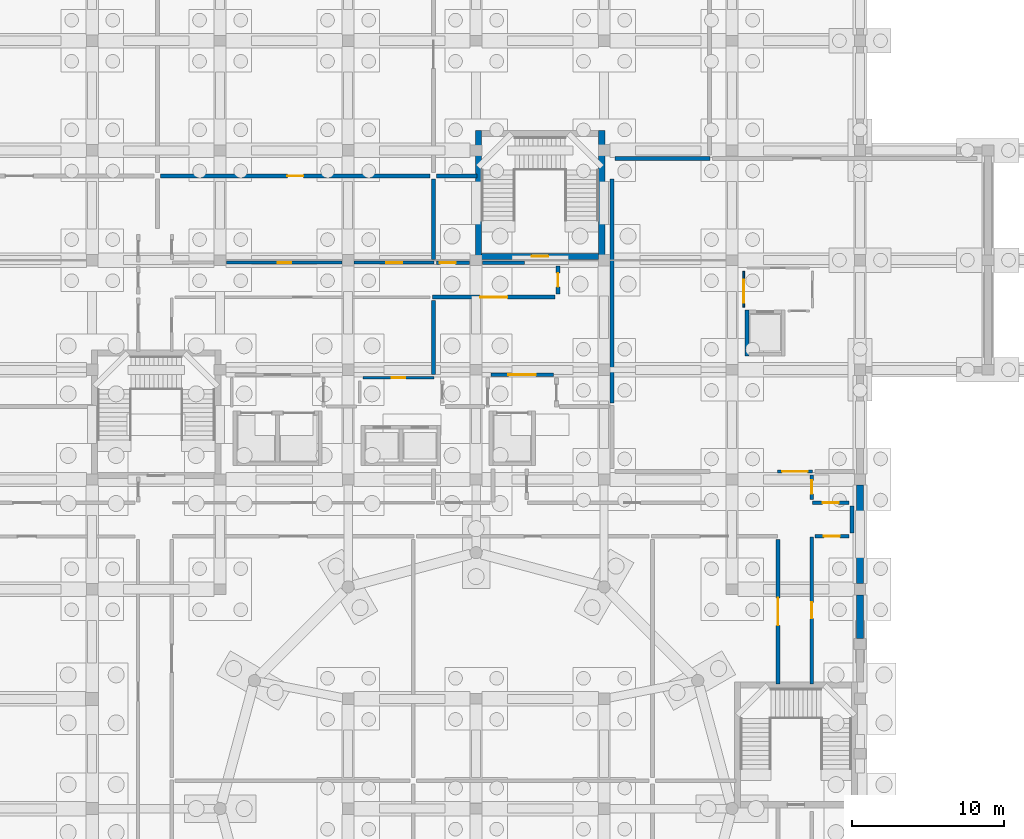
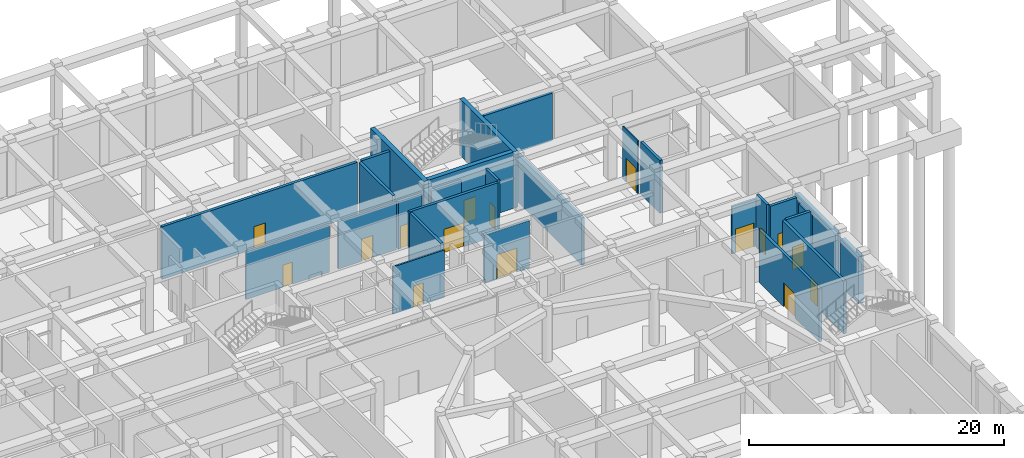
# One storey, part 25 of 32: 28 walls, 16 doors, 16 openings.
"""IFC4 building model written with IfcOpenShell, lengths in metres."""

from ifc_helpers import new_model, si_unit, derived_unit, direction, frame, frame_2d, origin, place, context, subcontext, project, spatial, rectangle, extrude, material, layer, layer_set, type_object, element, fill, save


model = new_model("IFC4")

# Units and contexts
model_context = context("Model", 3, precision=1e-05, world=origin(), true_north=direction((0.0, 1.0)))
body_context = subcontext(model_context, "Body", "Model", "MODEL_VIEW")
ifc_project = project(units=[si_unit("LENGTHUNIT", "METRE"), si_unit("AREAUNIT", "SQUARE_METRE"), si_unit("VOLUMEUNIT", "CUBIC_METRE"), si_unit("PLANEANGLEUNIT", "RADIAN"), si_unit("MASSUNIT", "GRAM", prefix="KILO"), derived_unit("THERMALTRANSMITTANCEUNIT", [(si_unit("POWERUNIT", "WATT"), 1), (si_unit("LENGTHUNIT", "METRE"), -2), (si_unit("THERMODYNAMICTEMPERATUREUNIT", "KELVIN"), -1)])], contexts=[model_context])

# Site, building, storey
site_placement = place(None, origin())
site = spatial("IfcSite", under=ifc_project, at=site_placement, CompositionType="ELEMENT")
building_placement = place(site_placement, origin())
building = spatial("IfcBuilding", under=site, at=building_placement, Name="Veybourne Emporium", CompositionType="ELEMENT")
storey_placement = place(building_placement, frame((0.0, 0.0, -5.39990234375)))
storey = spatial("IfcBuildingStorey", under=building, at=storey_placement, Name="B1", CompositionType="ELEMENT", Elevation=-5.39990234375)

# Walls
ifc_material_1 = material(Name="Concrete C40/50", Category="concrete")
ifc_layer_1 = layer(ifc_material_1, 0.449951171875)
ifc_layer_set_1 = layer_set([ifc_layer_1], Name="Concrete C40/50")
wall_type_1 = type_object("IfcWallType", Name="ExtWall_RW-01", PredefinedType="USERDEFINED", material=ifc_layer_set_1)
wall_1_placement = place(storey_placement, frame((100.800048828125, 64.425048828125, 0.0), z_axis=(0.0, 0.0, 1.0), x_axis=(0.0, -1.0, 0.0)))
element("IfcWall", 1, at=wall_1_placement, inside=storey, type_object=wall_type_1, Name="Basement perimeter retaining wall 058A", ObjectType="RETAININGWALL", PredefinedType="USERDEFINED", context=body_context, shape_type="SweptSolid", body=[
    extrude(rectangle(XDim=2.85498046875, YDim=0.449951171875, at=frame_2d((1.427490234375, 0.0))), origin(), (0.0, 0.0, 1.0), 4.5),
])
wall_2_placement = place(storey_placement, frame((100.800048828125, 71.625, 0.0), z_axis=(0.0, 0.0, 1.0), x_axis=(0.0, -1.0, 0.0)))
element("IfcWall", 2, at=wall_2_placement, inside=storey, type_object=wall_type_1, Name="Basement perimeter retaining wall 059", ObjectType="RETAININGWALL", PredefinedType="USERDEFINED", context=body_context, shape_type="SweptSolid", body=[
    extrude(rectangle(XDim=6.449951171875, YDim=0.449951171875, at=frame_2d((3.22509765625, 0.0))), origin(), (0.0, 0.0, 1.0), 4.5),
])

# Wall, opening, door
ifc_layer_2 = layer(ifc_material_1, 0.39990234375)
ifc_layer_set_2 = layer_set([ifc_layer_2], Name="Concrete C40/50")
wall_type_2 = type_object("IfcWallType", Name="IntWall_CW-01", PredefinedType="SHEAR", material=ifc_layer_set_2)
wall_3_placement = place(storey_placement, frame((83.64990234375, 86.64990234375, 0.0), z_axis=(0.0, 0.0, 1.0), x_axis=(-1.0, 0.0, 0.0)))
wall_3 = element("IfcWall", 3, at=wall_3_placement, inside=storey, type_object=wall_type_2, Name="Core stair ST-04 south shear wall (B1)", PredefinedType="SHEAR", context=body_context, shape_type="SweptSolid", body=[
    extrude(rectangle(XDim=7.699951171875, YDim=0.39990234375, at=frame_2d((3.85009765625, 0.0))), origin(), (0.0, 0.0, 1.0), 5.39990234375),
])
opening_1_placement = place(wall_3_placement, frame((3.300048828125, 0.0, 0.0)))
opening_1 = element("IfcOpeningElement", 4, at=opening_1_placement, cuts=wall_3, Name="Opening FD-01", PredefinedType="OPENING", context=body_context, shape_type="SweptSolid", body=[
    extrude(rectangle(XDim=1.10009765625, YDim=2.199951171875, at=frame_2d((0.550048828125, 1.10009765625))), frame((0.0, 0.219970703125, 0.0), z_axis=(0.0, -1.0, 0.0), x_axis=(1.0, 0.0, 0.0)), (0.0, 0.0, 1.0), 0.43994140625),
])
ifc_material_2 = material(Name="Patinated Architectural Bronze", Category="bronze")
door_type_1 = type_object("IfcDoorType", Name="FireDoor_FD-01", OperationType="NOTDEFINED", PredefinedType="DOOR", material=ifc_material_2)
door_1_placement = place(opening_1_placement, origin())
door_1 = element("IfcDoor", 5, at=door_1_placement, inside=storey, type_object=door_type_1, Name="Stair ST-04 fire door (B1)", OperationType="SINGLE_SWING_LEFT", OverallHeight=2.199951171875, OverallWidth=1.10009765625, PredefinedType="DOOR", context=body_context, shape_type="SweptSolid", body=[
    extrude(rectangle(XDim=1.10009765625, YDim=2.199951171875, at=frame_2d((0.550048828125, 1.10009765625))), frame((0.0, 0.02490234375, 0.0), z_axis=(0.0, -1.0, 0.0), x_axis=(1.0, 0.0, 0.0)), (0.0, 0.0, 1.0), 0.050048828125),
])
fill(opening_1, door_1)

# Walls
for number, where, z_axis, x_axis, name in (
    (6, (75.75, 94.89990234375, 0.0), (0.0, 0.0, 1.0), (0.0, -1.0, 0.0), "Core stair ST-04 west shear wall (B1)"),
    (7, (83.85009765625, 86.449951171875, 0.0), (0.0, 0.0, 1.0), (0.0, 1.0, 0.0), "Core stair ST-04 east shear wall (B1)"),
):
    element("IfcWall", number, at=place(storey_placement, frame(where, z_axis=z_axis, x_axis=x_axis)), inside=storey, type_object=wall_type_2, Name=name, PredefinedType="SHEAR", context=body_context, shape_type="SweptSolid", body=[
        extrude(rectangle(XDim=8.449951171875, YDim=0.39990234375, at=frame_2d((4.22509765625, 0.0))), origin(), (0.0, 0.0, 1.0), 5.39990234375),
    ])
ifc_layer_3 = layer(ifc_material_1, 0.239990234375)
ifc_layer_set_3 = layer_set([ifc_layer_3], Name="Concrete C40/50")
wall_type_3 = type_object("IfcWallType", Name="IntWall_CW-04", PredefinedType="SHEAR", material=ifc_layer_set_3)
wall_4_placement = place(storey_placement, frame((93.3798828125, 83.139892578125, 0.0), z_axis=(0.0, 0.0, 1.0), x_axis=(0.0, -1.0, 0.0)))
element("IfcWall", 8, at=wall_4_placement, inside=storey, type_object=wall_type_3, Name="Lift core CL west shaft wall (B1)", PredefinedType="SHEAR", context=body_context, shape_type="SweptSolid", body=[
    extrude(rectangle(XDim=3.02978515625, YDim=0.239990234375, at=frame_2d((1.514892578125, 0.0))), origin(), (0.0, 0.0, 1.0), 5.0498046875),
])

# Wall, opening, door
ifc_material_3 = material(Name="Concrete C32/40", Category="concrete")
ifc_layer_4 = layer(ifc_material_3, 0.25)
ifc_layer_set_4 = layer_set([ifc_layer_4], Name="Concrete C32/40")
wall_type_4 = type_object("IfcWallType", Name="IntWall_FW-01", PredefinedType="SOLIDWALL", material=ifc_layer_set_4)
wall_5_placement = place(storey_placement, frame((97.6298828125, 58.590087890625, 0.0), z_axis=(0.0, 0.0, 1.0), x_axis=(0.0, 1.0, 0.0)))
wall_5 = element("IfcWall", 9, at=wall_5_placement, inside=storey, type_object=wall_type_4, Name="B1 interior partition FW-01 #053", PredefinedType="SOLIDWALL", context=body_context, shape_type="SweptSolid", body=[
    extrude(rectangle(XDim=9.6298828125, YDim=0.25, at=frame_2d((4.81494140625, 0.0))), origin(), (0.0, 0.0, 1.0), 5.0498046875),
])
opening_2_placement = place(wall_5_placement, frame((4.2900390625, 0.0, 0.0)))
opening_2 = element("IfcOpeningElement", 10, at=opening_2_placement, cuts=wall_5, Name="Opening FD-02", PredefinedType="OPENING", context=body_context, shape_type="SweptSolid", body=[
    extrude(rectangle(XDim=1.050048828125, YDim=2.14990234375, at=frame_2d((0.52490234375, 1.074951171875))), frame((0.0, 0.14501953125, 0.0), z_axis=(0.0, -1.0, 0.0), x_axis=(1.0, 0.0, 0.0)), (0.0, 0.0, 1.0), 0.2900390625),
])
door_type_2 = type_object("IfcDoorType", Name="FireDoor_FD-02", OperationType="NOTDEFINED", PredefinedType="DOOR", material=ifc_material_2)
door_2_placement = place(opening_2_placement, origin())
door_2 = element("IfcDoor", 11, at=door_2_placement, inside=storey, type_object=door_type_2, Name="B1 interior door FD-02 (PART-B1-053)", OperationType="SINGLE_SWING_RIGHT", OverallHeight=2.14990234375, OverallWidth=1.050048828125, PredefinedType="DOOR", context=body_context, shape_type="SweptSolid", body=[
    extrude(rectangle(XDim=1.050048828125, YDim=2.14990234375, at=frame_2d((0.52490234375, 1.074951171875))), frame((0.0, 0.02490234375, 0.0), z_axis=(0.0, -1.0, 0.0), x_axis=(1.0, 0.0, 0.0)), (0.0, 0.0, 1.0), 0.050048828125),
])
fill(opening_2, door_2)

wall_6_placement = place(storey_placement, frame((95.419921875, 58.590087890625, 0.0), z_axis=(0.0, 0.0, 1.0), x_axis=(0.0, 1.0, 0.0)))
wall_6 = element("IfcWall", 12, at=wall_6_placement, inside=storey, type_object=wall_type_4, Name="B1 interior partition FW-01 #057", PredefinedType="SOLIDWALL", context=body_context, shape_type="SweptSolid", body=[
    extrude(rectangle(XDim=9.469970703125, YDim=0.25, at=frame_2d((4.73486328125, 0.0))), origin(), (0.0, 0.0, 1.0), 5.0498046875),
])
opening_3_placement = place(wall_6_placement, frame((3.8349609375, 0.0, 0.0)))
opening_3 = element("IfcOpeningElement", 13, at=opening_3_placement, cuts=wall_6, Name="Opening FD-03", PredefinedType="OPENING", context=body_context, shape_type="SweptSolid", body=[
    extrude(rectangle(XDim=1.800048828125, YDim=2.300048828125, at=frame_2d((0.89990234375, 1.14990234375))), frame((0.0, 0.14501953125, 0.0), z_axis=(0.0, -1.0, 0.0), x_axis=(1.0, 0.0, 0.0)), (0.0, 0.0, 1.0), 0.2900390625),
])
door_type_3 = type_object("IfcDoorType", Name="FireDoor_FD-03", OperationType="DOUBLE_DOOR_SINGLE_SWING", PredefinedType="DOOR", material=ifc_material_2)
door_3_placement = place(opening_3_placement, origin())
door_3 = element("IfcDoor", 14, at=door_3_placement, inside=storey, type_object=door_type_3, Name="B1 interior door FD-03 (PART-B1-057)", OperationType="DOUBLE_DOOR_SINGLE_SWING", OverallHeight=2.300048828125, OverallWidth=1.800048828125, PredefinedType="DOOR", context=body_context, shape_type="SweptSolid", body=[
    extrude(rectangle(XDim=1.800048828125, YDim=2.300048828125, at=frame_2d((0.89990234375, 1.14990234375))), frame((0.0, 0.02490234375, 0.0), z_axis=(0.0, -1.0, 0.0), x_axis=(1.0, 0.0, 0.0)), (0.0, 0.0, 1.0), 0.050048828125),
])
fill(opening_3, door_3)

wall_7_placement = place(storey_placement, frame((72.75, 83.969970703125, 0.0), z_axis=(0.0, 0.0, 1.0), x_axis=(1.0, 0.0, 0.0)))
wall_7 = element("IfcWall", 15, at=wall_7_placement, inside=storey, type_object=wall_type_4, Name="B1 interior partition FW-01 #062", PredefinedType="SOLIDWALL", context=body_context, shape_type="SweptSolid", body=[
    extrude(rectangle(XDim=8.02001953125, YDim=0.25, at=frame_2d((4.010009765625, 0.0))), origin(), (0.0, 0.0, 1.0), 5.0498046875),
])
opening_4_placement = place(wall_7_placement, frame((3.110107421875, 0.0, 0.0)))
opening_4 = element("IfcOpeningElement", 16, at=opening_4_placement, cuts=wall_7, Name="Opening FD-03", PredefinedType="OPENING", context=body_context, shape_type="SweptSolid", body=[
    extrude(rectangle(XDim=1.800048828125, YDim=2.300048828125, at=frame_2d((0.89990234375, 1.14990234375))), frame((0.0, 0.14501953125, 0.0), z_axis=(0.0, -1.0, 0.0), x_axis=(1.0, 0.0, 0.0)), (0.0, 0.0, 1.0), 0.2900390625),
])
door_4_placement = place(opening_4_placement, origin())
door_4 = element("IfcDoor", 17, at=door_4_placement, inside=storey, type_object=door_type_3, Name="B1 interior door FD-03 (PART-B1-062)", OperationType="DOUBLE_DOOR_SINGLE_SWING", OverallHeight=2.300048828125, OverallWidth=1.800048828125, PredefinedType="DOOR", context=body_context, shape_type="SweptSolid", body=[
    extrude(rectangle(XDim=1.800048828125, YDim=2.300048828125, at=frame_2d((0.89990234375, 1.14990234375))), frame((0.0, 0.02490234375, 0.0), z_axis=(0.0, -1.0, 0.0), x_axis=(1.0, 0.0, 0.0)), (0.0, 0.0, 1.0), 0.050048828125),
])
fill(opening_4, door_4)

wall_8_placement = place(storey_placement, frame((73.010009765625, 86.22998046875, 0.0), z_axis=(0.0, 0.0, 1.0), x_axis=(1.0, 0.0, 0.0)))
wall_8 = element("IfcWall", 18, at=wall_8_placement, inside=storey, type_object=wall_type_4, Name="B1 interior partition FW-01 #064", PredefinedType="SOLIDWALL", context=body_context, shape_type="SweptSolid", body=[
    extrude(rectangle(XDim=2.169921875, YDim=0.25, at=frame_2d((1.0849609375, 0.0))), origin(), (0.0, 0.0, 1.0), 4.5498046875),
])
opening_5_placement = place(wall_8_placement, frame((0.20166015625, 0.0, 0.0)))
opening_5 = element("IfcOpeningElement", 19, at=opening_5_placement, cuts=wall_8, Name="Opening FD-02", PredefinedType="OPENING", context=body_context, shape_type="SweptSolid", body=[
    extrude(rectangle(XDim=1.050048828125, YDim=2.14990234375, at=frame_2d((0.52490234375, 1.074951171875))), frame((0.0, 0.14501953125, 0.0), z_axis=(0.0, -1.0, 0.0), x_axis=(1.0, 0.0, 0.0)), (0.0, 0.0, 1.0), 0.2900390625),
])
door_5_placement = place(opening_5_placement, origin())
door_5 = element("IfcDoor", 20, at=door_5_placement, inside=storey, type_object=door_type_2, Name="B1 interior door FD-02 (PART-B1-064)", OperationType="SINGLE_SWING_LEFT", OverallHeight=2.14990234375, OverallWidth=1.050048828125, PredefinedType="DOOR", context=body_context, shape_type="SweptSolid", body=[
    extrude(rectangle(XDim=1.050048828125, YDim=2.14990234375, at=frame_2d((0.52490234375, 1.074951171875))), frame((0.0, 0.02490234375, 0.0), z_axis=(0.0, -1.0, 0.0), x_axis=(1.0, 0.0, 0.0)), (0.0, 0.0, 1.0), 0.050048828125),
])
fill(opening_5, door_5)

# Wall
wall_9_placement = place(storey_placement, frame((76.02001953125, 86.22998046875, 0.0), z_axis=(0.0, 0.0, 1.0), x_axis=(1.0, 0.0, 0.0)))
element("IfcWall", 21, at=wall_9_placement, inside=storey, type_object=wall_type_4, Name="B1 interior partition FW-01 #065", PredefinedType="SOLIDWALL", context=body_context, shape_type="SweptSolid", body=[
    extrude(rectangle(XDim=2.7421875, YDim=0.25, at=frame_2d((1.37109375, 0.0))), origin(), (0.0, 0.0, 1.0), 4.5498046875),
])

# Wall, opening, door
wall_10_placement = place(storey_placement, frame((76.580078125, 78.8798828125, 0.0), z_axis=(0.0, 0.0, 1.0), x_axis=(1.0, 0.0, 0.0)))
wall_10 = element("IfcWall", 22, at=wall_10_placement, inside=storey, type_object=wall_type_4, Name="B1 interior partition FW-01 #078", PredefinedType="SOLIDWALL", context=body_context, shape_type="SweptSolid", body=[
    extrude(rectangle(XDim=4.08984375, YDim=0.25, at=frame_2d((2.044921875, 0.0))), origin(), (0.0, 0.0, 1.0), 4.5498046875),
])
opening_6_placement = place(wall_10_placement, frame((1.14501953125, 0.0, 0.0)))
opening_6 = element("IfcOpeningElement", 23, at=opening_6_placement, cuts=wall_10, Name="Opening FD-03", PredefinedType="OPENING", context=body_context, shape_type="SweptSolid", body=[
    extrude(rectangle(XDim=1.800048828125, YDim=2.300048828125, at=frame_2d((0.89990234375, 1.14990234375))), frame((0.0, 0.14501953125, 0.0), z_axis=(0.0, -1.0, 0.0), x_axis=(1.0, 0.0, 0.0)), (0.0, 0.0, 1.0), 0.2900390625),
])
door_6_placement = place(opening_6_placement, origin())
door_6 = element("IfcDoor", 24, at=door_6_placement, inside=storey, type_object=door_type_3, Name="B1 interior door FD-03 (PART-B1-078)", OperationType="DOUBLE_DOOR_SINGLE_SWING", OverallHeight=2.300048828125, OverallWidth=1.800048828125, PredefinedType="DOOR", context=body_context, shape_type="SweptSolid", body=[
    extrude(rectangle(XDim=1.800048828125, YDim=2.300048828125, at=frame_2d((0.89990234375, 1.14990234375))), frame((0.0, 0.02490234375, 0.0), z_axis=(0.0, -1.0, 0.0), x_axis=(1.0, 0.0, 0.0)), (0.0, 0.0, 1.0), 0.050048828125),
])
fill(opening_6, door_6)

wall_11_placement = place(storey_placement, frame((97.679931640625, 70.47998046875, 0.0), z_axis=(0.0, 0.0, 1.0), x_axis=(1.0, 0.0, 0.0)))
wall_11 = element("IfcWall", 25, at=wall_11_placement, inside=storey, type_object=wall_type_4, Name="B1 interior partition FW-01 #093", PredefinedType="SOLIDWALL", context=body_context, shape_type="SweptSolid", body=[
    extrude(rectangle(XDim=2.39013671875, YDim=0.25, at=frame_2d((1.195068359375, 0.0))), origin(), (0.0, 0.0, 1.0), 5.0498046875),
])
opening_7_placement = place(wall_11_placement, frame((0.669921875, 0.0, 0.0)))
opening_7 = element("IfcOpeningElement", 26, at=opening_7_placement, cuts=wall_11, Name="Opening FD-02", PredefinedType="OPENING", context=body_context, shape_type="SweptSolid", body=[
    extrude(rectangle(XDim=1.050048828125, YDim=2.14990234375, at=frame_2d((0.52490234375, 1.074951171875))), frame((0.0, 0.14501953125, 0.0), z_axis=(0.0, -1.0, 0.0), x_axis=(1.0, 0.0, 0.0)), (0.0, 0.0, 1.0), 0.2900390625),
])
door_7_placement = place(opening_7_placement, origin())
door_7 = element("IfcDoor", 27, at=door_7_placement, inside=storey, type_object=door_type_2, Name="B1 interior door FD-02 (PART-B1-093)", OperationType="SINGLE_SWING_RIGHT", OverallHeight=2.14990234375, OverallWidth=1.050048828125, PredefinedType="DOOR", context=body_context, shape_type="SweptSolid", body=[
    extrude(rectangle(XDim=1.050048828125, YDim=2.14990234375, at=frame_2d((0.52490234375, 1.074951171875))), frame((0.0, 0.02490234375, 0.0), z_axis=(0.0, -1.0, 0.0), x_axis=(1.0, 0.0, 0.0)), (0.0, 0.0, 1.0), 0.050048828125),
])
fill(opening_7, door_7)

wall_12_placement = place(storey_placement, frame((97.840087890625, 68.27001953125, 0.0), z_axis=(0.0, 0.0, 1.0), x_axis=(1.0, 0.0, 0.0)))
wall_12 = element("IfcWall", 28, at=wall_12_placement, inside=storey, type_object=wall_type_4, Name="B1 interior partition FW-01 #100", PredefinedType="SOLIDWALL", context=body_context, shape_type="SweptSolid", body=[
    extrude(rectangle(XDim=2.22998046875, YDim=0.25, at=frame_2d((1.114990234375, 0.0))), origin(), (0.0, 0.0, 1.0), 5.0498046875),
])
opening_8_placement = place(wall_12_placement, frame((0.590087890625, 0.0, 0.0)))
opening_8 = element("IfcOpeningElement", 29, at=opening_8_placement, cuts=wall_12, Name="Opening FD-02", PredefinedType="OPENING", context=body_context, shape_type="SweptSolid", body=[
    extrude(rectangle(XDim=1.050048828125, YDim=2.14990234375, at=frame_2d((0.52490234375, 1.074951171875))), frame((0.0, 0.14501953125, 0.0), z_axis=(0.0, -1.0, 0.0), x_axis=(1.0, 0.0, 0.0)), (0.0, 0.0, 1.0), 0.2900390625),
])
door_8_placement = place(opening_8_placement, origin())
door_8 = element("IfcDoor", 30, at=door_8_placement, inside=storey, type_object=door_type_2, Name="B1 interior door FD-02 (PART-B1-100)", OperationType="SINGLE_SWING_LEFT", OverallHeight=2.14990234375, OverallWidth=1.050048828125, PredefinedType="DOOR", context=body_context, shape_type="SweptSolid", body=[
    extrude(rectangle(XDim=1.050048828125, YDim=2.14990234375, at=frame_2d((0.52490234375, 1.074951171875))), frame((0.0, 0.02490234375, 0.0), z_axis=(0.0, -1.0, 0.0), x_axis=(1.0, 0.0, 0.0)), (0.0, 0.0, 1.0), 0.050048828125),
])
fill(opening_8, door_8)

wall_13_placement = place(storey_placement, frame((80.97998046875, 84.179931640625, 0.0), z_axis=(0.0, 0.0, 1.0), x_axis=(0.0, 1.0, 0.0)))
wall_13 = element("IfcWall", 31, at=wall_13_placement, inside=storey, type_object=wall_type_4, Name="B1 interior partition FW-01 #118", PredefinedType="SOLIDWALL", context=body_context, shape_type="SweptSolid", body=[
    extrude(rectangle(XDim=1.840087890625, YDim=0.25, at=frame_2d((0.919921875, 0.0))), origin(), (0.0, 0.0, 1.0), 5.0498046875),
])
opening_9_placement = place(wall_13_placement, frame((0.469970703125, 0.0, 0.0)))
opening_9 = element("IfcOpeningElement", 32, at=opening_9_placement, cuts=wall_13, Name="Opening FD-04", PredefinedType="OPENING", context=body_context, shape_type="SweptSolid", body=[
    extrude(rectangle(XDim=0.89990234375, YDim=2.10009765625, at=frame_2d((0.449951171875, 1.050048828125))), frame((0.0, 0.14501953125, 0.0), z_axis=(0.0, -1.0, 0.0), x_axis=(1.0, 0.0, 0.0)), (0.0, 0.0, 1.0), 0.2900390625),
])
door_type_4 = type_object("IfcDoorType", Name="FireDoor_FD-04", OperationType="NOTDEFINED", PredefinedType="DOOR", material=ifc_material_2)
door_9_placement = place(opening_9_placement, origin())
door_9 = element("IfcDoor", 33, at=door_9_placement, inside=storey, type_object=door_type_4, Name="B1 interior door FD-04 (PART-B1-118)", OperationType="SINGLE_SWING_RIGHT", OverallHeight=2.10009765625, OverallWidth=0.89990234375, PredefinedType="DOOR", context=body_context, shape_type="SweptSolid", body=[
    extrude(rectangle(XDim=0.89990234375, YDim=2.10009765625, at=frame_2d((0.449951171875, 1.050048828125))), frame((0.0, 0.02490234375, 0.0), z_axis=(0.0, -1.0, 0.0), x_axis=(1.0, 0.0, 0.0)), (0.0, 0.0, 1.0), 0.050048828125),
])
fill(opening_9, door_9)

# Wall
wall_14_placement = place(storey_placement, frame((100.280029296875, 68.47998046875, 0.0), z_axis=(0.0, 0.0, 1.0), x_axis=(0.0, 1.0, 0.0)))
element("IfcWall", 34, at=wall_14_placement, inside=storey, type_object=wall_type_4, Name="B1 interior partition FW-01 #120", PredefinedType="SOLIDWALL", context=body_context, shape_type="SweptSolid", body=[
    extrude(rectangle(XDim=1.7900390625, YDim=0.25, at=frame_2d((0.89501953125, 0.0))), origin(), (0.0, 0.0, 1.0), 4.5),
])

# Wall, opening, door
wall_15_placement = place(storey_placement, frame((97.6298828125, 70.68994140625, 0.0), z_axis=(0.0, 0.0, 1.0), x_axis=(0.0, 1.0, 0.0)))
wall_15 = element("IfcWall", 35, at=wall_15_placement, inside=storey, type_object=wall_type_4, Name="B1 interior partition FW-01 #131", PredefinedType="SOLIDWALL", context=body_context, shape_type="SweptSolid", body=[
    extrude(rectangle(XDim=1.6201171875, YDim=0.25, at=frame_2d((0.81005859375, 0.0))), origin(), (0.0, 0.0, 1.0), 5.0498046875),
])
opening_10_placement = place(wall_15_placement, frame((0.360107421875, 0.0, 0.0)))
opening_10 = element("IfcOpeningElement", 36, at=opening_10_placement, cuts=wall_15, Name="Opening FD-04", PredefinedType="OPENING", context=body_context, shape_type="SweptSolid", body=[
    extrude(rectangle(XDim=0.89990234375, YDim=2.10009765625, at=frame_2d((0.449951171875, 1.050048828125))), frame((0.0, 0.14501953125, 0.0), z_axis=(0.0, -1.0, 0.0), x_axis=(1.0, 0.0, 0.0)), (0.0, 0.0, 1.0), 0.2900390625),
])
door_10_placement = place(opening_10_placement, origin())
door_10 = element("IfcDoor", 37, at=door_10_placement, inside=storey, type_object=door_type_4, Name="B1 interior door FD-04 (PART-B1-131)", OperationType="SINGLE_SWING_LEFT", OverallHeight=2.10009765625, OverallWidth=0.89990234375, PredefinedType="DOOR", context=body_context, shape_type="SweptSolid", body=[
    extrude(rectangle(XDim=0.89990234375, YDim=2.10009765625, at=frame_2d((0.449951171875, 1.050048828125))), frame((0.0, 0.02490234375, 0.0), z_axis=(0.0, -1.0, 0.0), x_axis=(1.0, 0.0, 0.0)), (0.0, 0.0, 1.0), 0.050048828125),
])
fill(opening_10, door_10)

wall_16_placement = place(storey_placement, frame((54.889892578125, 91.929931640625, 0.0), z_axis=(0.0, 0.0, 1.0), x_axis=(1.0, 0.0, 0.0)))
wall_16 = element("IfcWall", 38, at=wall_16_placement, inside=storey, type_object=wall_type_4, Name="B1 interior partition FW-01 #137", PredefinedType="SOLIDWALL", context=body_context, shape_type="SweptSolid", body=[
    extrude(rectangle(XDim=17.7001953125, YDim=0.25, at=frame_2d((8.85009765625, 0.0))), origin(), (0.0, 0.0, 1.0), 5.0498046875),
])
opening_11_placement = place(wall_16_placement, frame((8.324951171875, 0.0, 0.0)))
opening_11 = element("IfcOpeningElement", 39, at=opening_11_placement, cuts=wall_16, Name="Opening FD-02", PredefinedType="OPENING", context=body_context, shape_type="SweptSolid", body=[
    extrude(rectangle(XDim=1.050048828125, YDim=2.14990234375, at=frame_2d((0.52490234375, 1.074951171875))), frame((0.0, 0.14501953125, 0.0), z_axis=(0.0, -1.0, 0.0), x_axis=(1.0, 0.0, 0.0)), (0.0, 0.0, 1.0), 0.2900390625),
])
door_11_placement = place(opening_11_placement, origin())
door_11 = element("IfcDoor", 40, at=door_11_placement, inside=storey, type_object=door_type_2, Name="B1 interior door FD-02 (PART-B1-137)", OperationType="SINGLE_SWING_LEFT", OverallHeight=2.14990234375, OverallWidth=1.050048828125, PredefinedType="DOOR", context=body_context, shape_type="SweptSolid", body=[
    extrude(rectangle(XDim=1.050048828125, YDim=2.14990234375, at=frame_2d((0.52490234375, 1.074951171875))), frame((0.0, 0.02490234375, 0.0), z_axis=(0.0, -1.0, 0.0), x_axis=(1.0, 0.0, 0.0)), (0.0, 0.0, 1.0), 0.050048828125),
])
fill(opening_11, door_11)

# Walls
wall_17_placement = place(storey_placement, frame((84.52001953125, 77.010009765625, 0.0), z_axis=(0.0, 0.0, 1.0), x_axis=(0.0, 1.0, 0.0)))
element("IfcWall", 41, at=wall_17_placement, inside=storey, type_object=wall_type_4, Name="B1 interior partition FW-01 #150", PredefinedType="SOLIDWALL", context=body_context, shape_type="SweptSolid", body=[
    extrude(rectangle(XDim=14.7099609375, YDim=0.25, at=frame_2d((7.35498046875, 0.0))), origin(), (0.0, 0.0, 1.0), 4.5498046875),
])
wall_18_placement = place(storey_placement, frame((84.72998046875, 93.080078125, 0.0), z_axis=(0.0, 0.0, 1.0), x_axis=(1.0, 0.0, 0.0)))
element("IfcWall", 42, at=wall_18_placement, inside=storey, type_object=wall_type_4, Name="B1 interior partition FW-01 #164", PredefinedType="SOLIDWALL", context=body_context, shape_type="SweptSolid", body=[
    extrude(rectangle(XDim=6.239990234375, YDim=0.25, at=frame_2d((3.1201171875, 0.0))), origin(), (0.0, 0.0, 1.0), 4.5498046875),
])
wall_19_placement = place(storey_placement, frame((72.800048828125, 86.43994140625, 0.0), z_axis=(0.0, 0.0, 1.0), x_axis=(0.0, 1.0, 0.0)))
element("IfcWall", 43, at=wall_19_placement, inside=storey, type_object=wall_type_4, Name="B1 interior partition FW-01 #166", PredefinedType="SOLIDWALL", context=body_context, shape_type="SweptSolid", body=[
    extrude(rectangle(XDim=5.280029296875, YDim=0.25, at=frame_2d((2.64013671875, 0.0))), origin(), (0.0, 0.0, 1.0), 5.0498046875),
])
wall_20_placement = place(storey_placement, frame((72.800048828125, 78.889892578125, 0.0), z_axis=(0.0, 0.0, 1.0), x_axis=(0.0, 1.0, 0.0)))
element("IfcWall", 44, at=wall_20_placement, inside=storey, type_object=wall_type_4, Name="B1 interior partition FW-01 #168", PredefinedType="SOLIDWALL", context=body_context, shape_type="SweptSolid", body=[
    extrude(rectangle(XDim=4.8701171875, YDim=0.25, at=frame_2d((2.43505859375, 0.0))), origin(), (0.0, 0.0, 1.0), 5.0498046875),
])
wall_21_placement = place(storey_placement, frame((73.010009765625, 91.929931640625, 0.0), z_axis=(0.0, 0.0, 1.0), x_axis=(1.0, 0.0, 0.0)))
element("IfcWall", 45, at=wall_21_placement, inside=storey, type_object=wall_type_4, Name="B1 interior partition FW-01 #177", PredefinedType="SOLIDWALL", context=body_context, shape_type="SweptSolid", body=[
    extrude(rectangle(XDim=2.64990234375, YDim=0.25, at=frame_2d((1.324951171875, 0.0))), origin(), (0.0, 0.0, 1.0), 5.0498046875),
])

# Wall, opening, door
ifc_material_4 = material(Name="Gypsum Acoustic Board", Category="gypsum")
ifc_layer_5 = layer(ifc_material_4, 0.179931640625)
ifc_layer_set_5 = layer_set([ifc_layer_5], Name="Gypsum Acoustic Board")
wall_type_5 = type_object("IfcWallType", Name="IntWall_IW-01", PredefinedType="PARTITIONING", material=ifc_layer_set_5)
wall_22_placement = place(storey_placement, frame((95.3701171875, 72.52001953125, 0.0), z_axis=(0.0, 0.0, 1.0), x_axis=(1.0, 0.0, 0.0)))
wall_22 = element("IfcWall", 46, at=wall_22_placement, inside=storey, type_object=wall_type_5, Name="B1 interior partition IW-01 #096", PredefinedType="PARTITIONING", context=body_context, shape_type="SweptSolid", body=[
    extrude(rectangle(XDim=2.309814453125, YDim=0.179931640625, at=frame_2d((1.15478515625, 0.0))), origin(), (0.0, 0.0, 1.0), 4.5498046875),
])
opening_12_placement = place(wall_22_placement, frame((0.31494140625, 0.0, 0.0)))
opening_12 = element("IfcOpeningElement", 47, at=opening_12_placement, cuts=wall_22, Name="Opening D-24", PredefinedType="OPENING", context=body_context, shape_type="SweptSolid", body=[
    extrude(rectangle(XDim=1.679931640625, YDim=2.2900390625, at=frame_2d((0.83984375, 1.14501953125))), frame((0.0, 0.10986328125, 0.0), z_axis=(0.0, -1.0, 0.0), x_axis=(1.0, 0.0, 0.0)), (0.0, 0.0, 1.0), 0.219970703125),
])
ifc_material_5 = material(Name="European Oak Veneer and Bronze", Category="wood")
door_type_5 = type_object("IfcDoorType", Name="IntDoor_D-24", OperationType="DOUBLE_DOOR_SINGLE_SWING", PredefinedType="DOOR", material=ifc_material_5)
door_12_placement = place(opening_12_placement, origin())
door_12 = element("IfcDoor", 48, at=door_12_placement, inside=storey, type_object=door_type_5, Name="B1 interior door D-24 (PART-B1-096)", OperationType="DOUBLE_DOOR_SINGLE_SWING", OverallHeight=2.2900390625, OverallWidth=1.679931640625, PredefinedType="DOOR", context=body_context, shape_type="SweptSolid", body=[
    extrude(rectangle(XDim=1.679931640625, YDim=2.2900390625, at=frame_2d((0.83984375, 1.14501953125))), frame((0.0, 0.02490234375, 0.0), z_axis=(0.0, -1.0, 0.0), x_axis=(1.0, 0.0, 0.0)), (0.0, 0.0, 1.0), 0.050048828125),
])
fill(opening_12, door_12)

ifc_layer_6 = layer(ifc_material_4, 0.14990234375)
ifc_layer_set_6 = layer_set([ifc_layer_6], Name="Gypsum Acoustic Board")
wall_type_6 = type_object("IfcWallType", Name="IntWall_IW-02", PredefinedType="PARTITIONING", material=ifc_layer_set_6)
wall_23_placement = place(storey_placement, frame((68.179931640625, 78.679931640625, 0.0), z_axis=(0.0, 0.0, 1.0), x_axis=(1.0, 0.0, 0.0)))
wall_23 = element("IfcWall", 49, at=wall_23_placement, inside=storey, type_object=wall_type_6, Name="B1 interior partition IW-02 #073", PredefinedType="PARTITIONING", context=body_context, shape_type="SweptSolid", body=[
    extrude(rectangle(XDim=4.670166015625, YDim=0.14990234375, at=frame_2d((2.3349609375, 0.0))), origin(), (0.0, 0.0, 1.0), 4.5498046875),
])
opening_13_placement = place(wall_23_placement, frame((1.89501953125, 0.0, 0.0)))
opening_13 = element("IfcOpeningElement", 50, at=opening_13_placement, cuts=wall_23, Name="Opening D-01", PredefinedType="OPENING", context=body_context, shape_type="SweptSolid", body=[
    extrude(rectangle(XDim=0.8798828125, YDim=2.050048828125, at=frame_2d((0.43994140625, 1.02490234375))), frame((0.0, 0.094970703125, 0.0), z_axis=(0.0, -1.0, 0.0), x_axis=(1.0, 0.0, 0.0)), (0.0, 0.0, 1.0), 0.18994140625),
])
door_type_6 = type_object("IfcDoorType", Name="IntDoor_D-01", OperationType="NOTDEFINED", PredefinedType="DOOR", material=ifc_material_5)
door_13_placement = place(opening_13_placement, origin())
door_13 = element("IfcDoor", 51, at=door_13_placement, inside=storey, type_object=door_type_6, Name="B1 interior door D-01 (PART-B1-073)", OperationType="SINGLE_SWING_RIGHT", OverallHeight=2.050048828125, OverallWidth=0.8798828125, PredefinedType="DOOR", context=body_context, shape_type="SweptSolid", body=[
    extrude(rectangle(XDim=0.8798828125, YDim=2.050048828125, at=frame_2d((0.43994140625, 1.02490234375))), frame((0.0, 0.02490234375, 0.0), z_axis=(0.0, -1.0, 0.0), x_axis=(1.0, 0.0, 0.0)), (0.0, 0.0, 1.0), 0.050048828125),
])
fill(opening_13, door_13)

ifc_layer_7 = layer(ifc_material_4, 0.1201171875)
ifc_layer_set_7 = layer_set([ifc_layer_7], Name="Gypsum Acoustic Board")
wall_type_7 = type_object("IfcWallType", Name="IntWall_IW-03", PredefinedType="PARTITIONING", material=ifc_layer_set_7)
wall_24_placement = place(storey_placement, frame((93.169921875, 83.322021484375, 0.0), z_axis=(0.0, 0.0, 1.0), x_axis=(0.0, 1.0, 0.0)))
wall_24 = element("IfcWall", 52, at=wall_24_placement, inside=storey, type_object=wall_type_7, Name="B1 interior partition IW-03 #095", PredefinedType="PARTITIONING", context=body_context, shape_type="SweptSolid", body=[
    extrude(rectangle(XDim=2.347900390625, YDim=0.1201171875, at=frame_2d((1.173828125, 0.0))), origin(), (0.0, 0.0, 1.0), 5.0498046875),
])
opening_14_placement = place(wall_24_placement, frame((0.281494140625, 0.0, 0.0)))
opening_14 = element("IfcOpeningElement", 53, at=opening_14_placement, cuts=wall_24, Name="Opening D-23", PredefinedType="OPENING", context=body_context, shape_type="SweptSolid", body=[
    extrude(rectangle(XDim=1.52001953125, YDim=2.2900390625, at=frame_2d((0.760009765625, 1.14501953125))), frame((0.0, 0.080078125, 0.0), z_axis=(0.0, -1.0, 0.0), x_axis=(1.0, 0.0, 0.0)), (0.0, 0.0, 1.0), 0.16015625),
])
door_type_7 = type_object("IfcDoorType", Name="IntDoor_D-23", OperationType="NOTDEFINED", PredefinedType="DOOR", material=ifc_material_5)
door_14_placement = place(opening_14_placement, origin())
door_14 = element("IfcDoor", 54, at=door_14_placement, inside=storey, type_object=door_type_7, Name="B1 interior door D-23 (PART-B1-095)", OperationType="SINGLE_SWING_LEFT", OverallHeight=2.2900390625, OverallWidth=1.52001953125, PredefinedType="DOOR", context=body_context, shape_type="SweptSolid", body=[
    extrude(rectangle(XDim=1.52001953125, YDim=2.2900390625, at=frame_2d((0.760009765625, 1.14501953125))), frame((0.0, 0.02490234375, 0.0), z_axis=(0.0, -1.0, 0.0), x_axis=(1.0, 0.0, 0.0)), (0.0, 0.0, 1.0), 0.050048828125),
])
fill(opening_14, door_14)

ifc_layer_8 = layer(ifc_material_4, 0.199951171875)
ifc_layer_set_8 = layer_set([ifc_layer_8], Name="Gypsum Acoustic Board")
wall_type_8 = type_object("IfcWallType", Name="IntWall_IW-04", PredefinedType="PLUMBINGWALL", material=ifc_layer_set_8)
wall_25_placement = place(storey_placement, frame((59.219970703125, 86.22998046875, 0.0), z_axis=(0.0, 0.0, 1.0), x_axis=(1.0, 0.0, 0.0)))
wall_25 = element("IfcWall", 55, at=wall_25_placement, inside=storey, type_object=wall_type_8, Name="B1 interior partition IW-04 #007", PredefinedType="PLUMBINGWALL", context=body_context, shape_type="SweptSolid", body=[
    extrude(rectangle(XDim=7.5849609375, YDim=0.199951171875, at=frame_2d((3.79248046875, 0.0))), origin(), (0.0, 0.0, 1.0), 4.5498046875),
])
opening_15_placement = place(wall_25_placement, frame((3.3525390625, 0.0, 0.0)))
opening_15 = element("IfcOpeningElement", 56, at=opening_15_placement, cuts=wall_25, Name="Opening D-07", PredefinedType="OPENING", context=body_context, shape_type="SweptSolid", body=[
    extrude(rectangle(XDim=0.8798828125, YDim=2.1298828125, at=frame_2d((0.43994140625, 1.06494140625))), frame((0.0, 0.1201171875, 0.0), z_axis=(0.0, -1.0, 0.0), x_axis=(1.0, 0.0, 0.0)), (0.0, 0.0, 1.0), 0.239990234375),
])
door_type_8 = type_object("IfcDoorType", Name="IntDoor_D-07", OperationType="NOTDEFINED", PredefinedType="DOOR", material=ifc_material_5)
door_15_placement = place(opening_15_placement, origin())
door_15 = element("IfcDoor", 57, at=door_15_placement, inside=storey, type_object=door_type_8, Name="B1 interior door D-07 (PART-B1-007)", OperationType="SINGLE_SWING_RIGHT", OverallHeight=2.1298828125, OverallWidth=0.8798828125, PredefinedType="DOOR", context=body_context, shape_type="SweptSolid", body=[
    extrude(rectangle(XDim=0.8798828125, YDim=2.1298828125, at=frame_2d((0.43994140625, 1.06494140625))), frame((0.0, 0.02490234375, 0.0), z_axis=(0.0, -1.0, 0.0), x_axis=(1.0, 0.0, 0.0)), (0.0, 0.0, 1.0), 0.050048828125),
])
fill(opening_15, door_15)

wall_26_placement = place(storey_placement, frame((67.594970703125, 86.22998046875, 0.0), z_axis=(0.0, 0.0, 1.0), x_axis=(1.0, 0.0, 0.0)))
wall_26 = element("IfcWall", 58, at=wall_26_placement, inside=storey, type_object=wall_type_8, Name="B1 interior partition IW-04 #008", PredefinedType="PLUMBINGWALL", context=body_context, shape_type="SweptSolid", body=[
    extrude(rectangle(XDim=5.255126953125, YDim=0.199951171875, at=frame_2d((2.62744140625, 0.0))), origin(), (0.0, 0.0, 1.0), 4.5498046875),
])
opening_16_placement = place(wall_26_placement, frame((2.107421875, 0.0, 0.0)))
opening_16 = element("IfcOpeningElement", 59, at=opening_16_placement, cuts=wall_26, Name="Opening D-08", PredefinedType="OPENING", context=body_context, shape_type="SweptSolid", body=[
    extrude(rectangle(XDim=1.0400390625, YDim=2.1298828125, at=frame_2d((0.52001953125, 1.06494140625))), frame((0.0, 0.1201171875, 0.0), z_axis=(0.0, -1.0, 0.0), x_axis=(1.0, 0.0, 0.0)), (0.0, 0.0, 1.0), 0.239990234375),
])
door_type_9 = type_object("IfcDoorType", Name="IntDoor_D-08", OperationType="NOTDEFINED", PredefinedType="DOOR", material=ifc_material_5)
door_16_placement = place(opening_16_placement, origin())
door_16 = element("IfcDoor", 60, at=door_16_placement, inside=storey, type_object=door_type_9, Name="B1 interior door D-08 (PART-B1-008)", OperationType="SINGLE_SWING_LEFT", OverallHeight=2.1298828125, OverallWidth=1.0400390625, PredefinedType="DOOR", context=body_context, shape_type="SweptSolid", body=[
    extrude(rectangle(XDim=1.0400390625, YDim=2.1298828125, at=frame_2d((0.52001953125, 1.06494140625))), frame((0.0, 0.02490234375, 0.0), z_axis=(0.0, -1.0, 0.0), x_axis=(1.0, 0.0, 0.0)), (0.0, 0.0, 1.0), 0.050048828125),
])
fill(opening_16, door_16)

save(model, "model.ifc")
